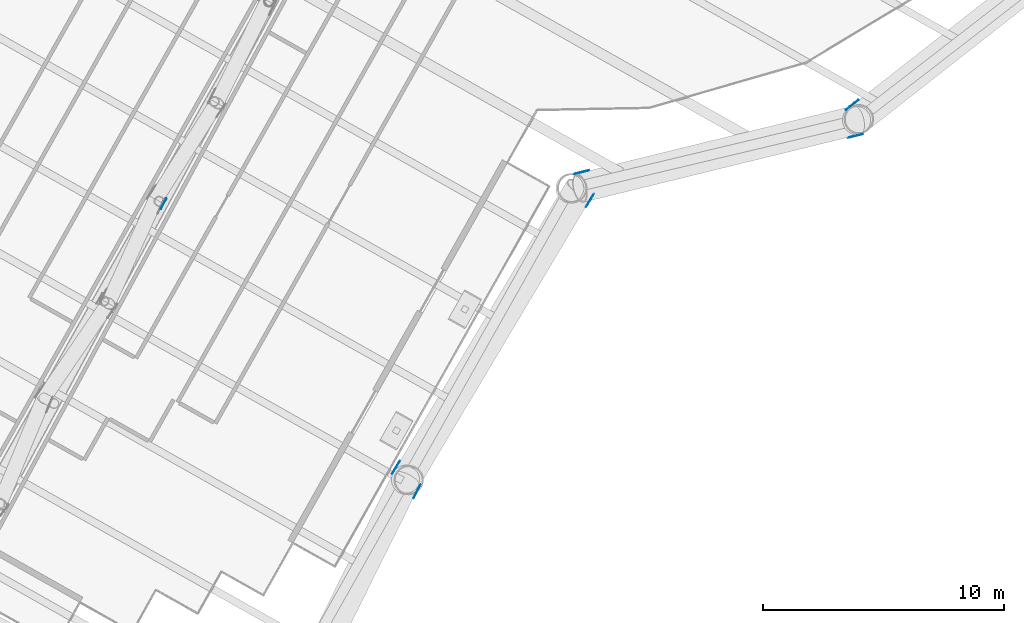
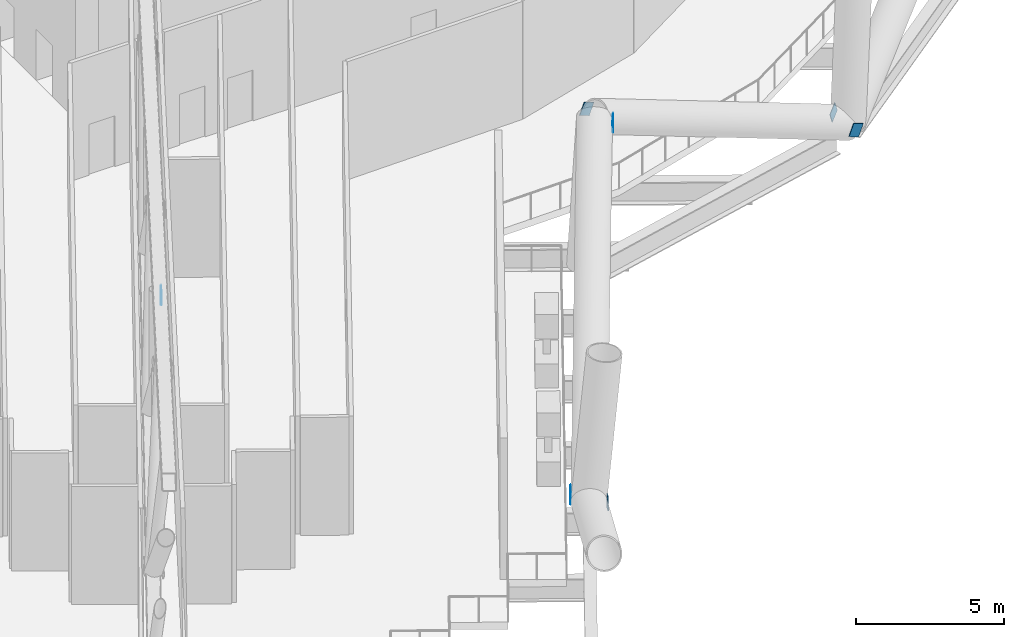
# One storey, part 23 of 39: 7 discrete accessories.
"""IFC4 building model written with IfcOpenShell, lengths in metres."""

from ifc_helpers import new_model, si_unit, direction, frame, origin, origin_2d, place, context, subcontext, project, spatial, rectangle, extrude, material, material_profile, profile_set, type_object, element, save


model = new_model("IFC4")

# Units and contexts
model_context = context("Model", 3, precision=1e-05, world=origin(), true_north=direction((0.0, 1.0)))
body_context = subcontext(model_context, "Body", "Model", "MODEL_VIEW")
ifc_project = project(units=[si_unit("LENGTHUNIT", "METRE"), si_unit("AREAUNIT", "SQUARE_METRE"), si_unit("VOLUMEUNIT", "CUBIC_METRE"), si_unit("PLANEANGLEUNIT", "RADIAN"), si_unit("MASSUNIT", "GRAM", prefix="KILO")], contexts=[model_context])

# Site, building, storey
site_placement = place(None, origin())
site = spatial("IfcSite", under=ifc_project, at=site_placement, CompositionType="ELEMENT")
building_placement = place(site_placement, origin())
building = spatial("IfcBuilding", under=site, at=building_placement, Name="Tarsis Ring Headquarters", CompositionType="ELEMENT")
storey_placement = place(building_placement, frame((0.0, 0.0, 86.800048828125)))
storey = spatial("IfcBuildingStorey", under=building, at=storey_placement, Name="L19", CompositionType="ELEMENT", Elevation=86.800048828125)

# Discrete accessories
ifc_material = material(Name="Structural steel S355", Category="steel")
ifc_material_profile = material_profile(ifc_material, rectangle(XDim=0.02490234375, YDim=0.5, at=origin_2d()), Name="PL 25x500")
ifc_profile_set = profile_set([ifc_material_profile], Name="Structural steel S355")
discrete_accessory_type_1 = type_object("IfcDiscreteAccessoryType", Name="Gusset plate Belt truss 25", PredefinedType="BRACKET", material=ifc_profile_set)
for number, where, z_axis, x_axis, name in (
    (1, (-5.658447265625, -41.42822265625, 0.0), (-0.407175405512, -0.820697669863, 0.400828546673), (0.89580844381, -0.444440358202, 0.0), "Gusset plate GP4"),
    (2, (-6.749755859375, -40.8330078125, 0.0), (0.471209213274, 0.790557218954, 0.391128062002), (-0.858987361192, 0.511996790334, 0.0), "Gusset plate GP4"),
    (3, (1.543212890625, -29.349609375, 6.0), (-0.471301032933, -0.790222871798, -0.39169267193), (0.858848182946, -0.51223022036, 0.0), "Gusset plate GP4"),
    (4, (12.677734375, -26.8115234375, 0.0), (-0.866769277253, -0.212419513017, 0.451208344891), (0.238026754969, -0.971258597861, 0.0), "Gusset plate GP4"),
    (5, (0.860595703125, -28.4267578125, 6.0), (0.866578257999, 0.212372699848, -0.451597120366), (-0.238026754969, 0.971258597861, 0.0), "Gusset plate GP4"),
    (6, (12.145751953125, -25.7177734375, 0.0), (0.710879876766, 0.557571991254, 0.428676189423), (-0.617153056317, 0.786843126092, 0.0), "Gusset plate GP4"),
):
    element("IfcDiscreteAccessory", number, at=place(storey_placement, frame(where, z_axis=z_axis, x_axis=x_axis)), inside=storey, type_object=discrete_accessory_type_1, Name=name, PredefinedType="BRACKET", context=body_context, shape_type="SweptSolid", body=[
        extrude(rectangle(XDim=0.02490234375, YDim=0.5, at=origin_2d()), origin(), (0.0, 0.0, 1.0), 0.5),
    ])
discrete_accessory_type_2 = type_object("IfcDiscreteAccessoryType", Name="Gusset plate Outrigger chord 25", PredefinedType="BRACKET", material=ifc_profile_set)
discrete_accessory_placement = place(storey_placement, frame((-16.285888671875, -29.68310546875, 5.33203125), z_axis=(0.0, 0.0, -1.0), x_axis=(0.879475691941, -0.475943806856, 0.0)))
element("IfcDiscreteAccessory", 7, at=discrete_accessory_placement, inside=storey, type_object=discrete_accessory_type_2, Name="Gusset plate GP3", PredefinedType="BRACKET", context=body_context, shape_type="SweptSolid", body=[
    extrude(rectangle(XDim=0.02490234375, YDim=0.5, at=origin_2d()), origin(), (0.0, 0.0, 1.0), 0.5),
])

save(model, "model.ifc")
